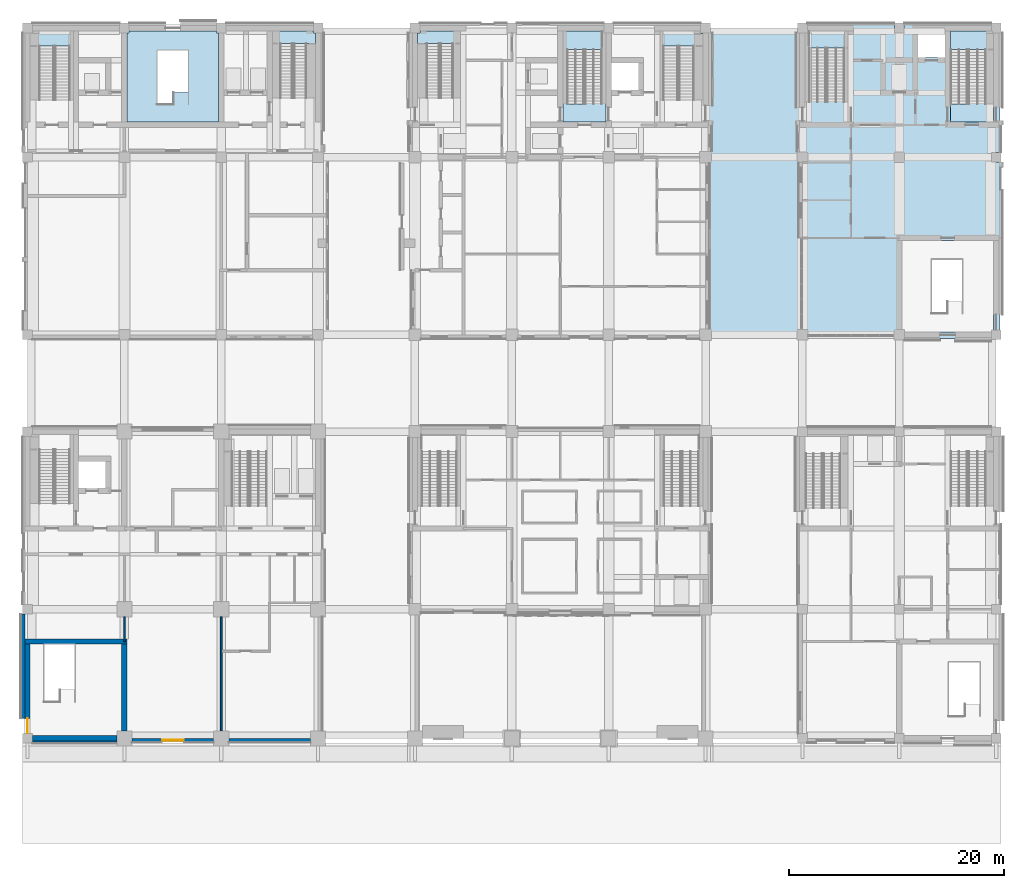
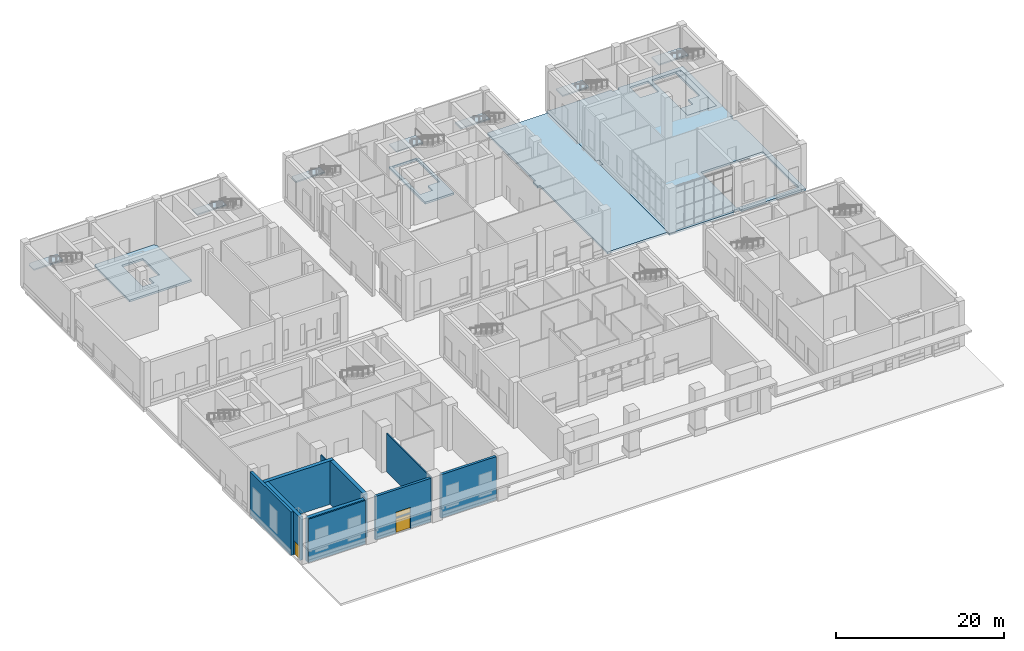
# One storey, part 7 of 35: 12 slabs, 10 walls, 2 doors, 1 window, 3 openings, 7 elements without a shape of their own.
"""IFC4 building model written with IfcOpenShell, lengths in metres."""

from ifc_helpers import new_model, si_unit, direction, frame, frame_2d, origin, place, context, subcontext, project, spatial, polyline, rectangle, outline, extrude, material, layer, layer_set, type_object, element, fill, aggregate, save


model = new_model("IFC4")

# Units and contexts
model_context = context("Model", 3, precision=1e-05, world=origin(), true_north=direction((0.0, 1.0)))
body_context = subcontext(model_context, "Body", "Model", "MODEL_VIEW")
ifc_project = project(units=[si_unit("LENGTHUNIT", "METRE"), si_unit("AREAUNIT", "SQUARE_METRE"), si_unit("VOLUMEUNIT", "CUBIC_METRE"), si_unit("PLANEANGLEUNIT", "RADIAN"), si_unit("MASSUNIT", "GRAM", prefix="KILO")], contexts=[model_context])

# Site, building, storey
site_placement = place(None, origin())
site = spatial("IfcSite", under=ifc_project, at=site_placement, CompositionType="ELEMENT")
building_placement = place(site_placement, origin())
building = spatial("IfcBuilding", under=site, at=building_placement, Name="Aurelan Courthouse", CompositionType="ELEMENT")
storey_placement = place(building_placement, origin())
storey = spatial("IfcBuildingStorey", under=building, at=storey_placement, Name="L00", CompositionType="ELEMENT", Elevation=0.0)

# Slabs
ifc_material_1 = material(Name="Concrete C40", Category="concrete")
ifc_layer_1 = layer(ifc_material_1, 0.300048828125)
ifc_layer_set_1 = layer_set([ifc_layer_1], Name="Concrete C40")
slab_type_1 = type_object("IfcSlabType", Name="PT court deck slab 300", PredefinedType="FLOOR", material=ifc_layer_set_1)
slab_1_placement = place(storey_placement, frame((0.0, 0.0, -0.300048828125)))
element("IfcSlab", 1, at=slab_1_placement, inside=storey, type_object=slab_type_1, Name="Court Deck G2N", PredefinedType="FLOOR", context=body_context, shape_type="SweptSolid", body=[
    extrude(outline(polyline([(72.0, 53.5), (72.0, 54.5), (71.64990234375, 54.5), (71.64990234375, 65.550048828125), (71.64990234375, 66.0), (63.35009765625, 66.0), (63.35009765625, 65.550048828125), (63.35009765625, 54.550048828125), (63.0, 54.550048828125), (63.0, 53.449951171875), (63.35009765625, 53.449951171875), (63.35009765625, 38.050048828125), (63.35009765625, 37.5), (71.64990234375, 37.5), (71.64990234375, 38.0), (71.64990234375, 53.5), (72.0, 53.5)])), origin(), (0.0, 0.0, 1.0), 0.300048828125),
])
ifc_layer_2 = layer(ifc_material_1, 0.300048828125)
ifc_layer_set_2 = layer_set([ifc_layer_2], Name="Concrete C40")
slab_type_2 = type_object("IfcSlabType", Name="PT floor slab 300", PredefinedType="FLOOR", material=ifc_layer_set_2)
slab_2_placement = place(storey_placement, frame((0.0, 0.0, -0.300048828125)))
element("IfcSlab", 2, at=slab_2_placement, inside=storey, type_object=slab_type_2, Name="Floor slab SL-L00-03", PredefinedType="FLOOR", context=body_context, shape_type="SweptSolid", body=[
    extrude(outline(polyline([(71.64990234375, 53.5), (71.64990234375, 38.0), (71.64990234375, 37.14990234375), (72.5, 37.14990234375), (80.5, 37.14990234375), (80.5, 37.5), (81.5, 37.5), (81.5, 37.14990234375), (89.550048828125, 37.14990234375), (90.35009765625, 37.14990234375), (90.35009765625, 37.949951171875), (90.35009765625, 53.550048828125), (90.0, 53.550048828125), (90.0, 54.449951171875), (90.35009765625, 54.449951171875), (90.35009765625, 65.550048828125), (90.35009765625, 66.35009765625), (89.550048828125, 66.35009765625), (81.449951171875, 66.35009765625), (81.449951171875, 66.0), (80.550048828125, 66.0), (80.550048828125, 66.35009765625), (72.449951171875, 66.35009765625), (71.64990234375, 66.35009765625), (71.64990234375, 65.550048828125), (71.64990234375, 54.5), (72.0, 54.5), (72.0, 53.5), (71.64990234375, 53.5)]), holes=[polyline([(81.25, 37.75), (81.25, 46.25), (89.75, 46.25), (89.75, 37.75), (81.25, 37.75)]), polyline([(85.75, 65.75), (89.75, 65.75), (89.75, 57.25), (85.75, 57.25), (85.75, 65.75)]), polyline([(85.25, 65.75), (85.25, 63.25), (82.75, 63.25), (82.75, 65.75), (85.25, 65.75)])]), origin(), (0.0, 0.0, 1.0), 0.300048828125),
])
ifc_material_2 = material(Name="Concrete C30", Category="concrete")
ifc_layer_3 = layer(ifc_material_2, 0.300048828125)
ifc_layer_set_3 = layer_set([ifc_layer_3], Name="Concrete C30")
slab_type_3 = type_object("IfcSlabType", Name="Stair floor landing 300 thick", PredefinedType="LANDING", material=ifc_layer_set_3)
slab_3_placement = place(storey_placement, frame((0.0, 0.0, -0.300048828125)))
element("IfcSlab", 3, at=slab_3_placement, inside=storey, type_object=slab_type_3, Name="Stair BS-3 landing L00", PredefinedType="LANDING", context=body_context, shape_type="SweptSolid", body=[
    extrude(outline(polyline([(17.75, 57.25), (9.25, 57.25), (9.25, 65.550048828125), (9.449951171875, 65.550048828125), (9.449951171875, 65.75), (17.550048828125, 65.75), (17.550048828125, 65.550048828125), (17.75, 65.550048828125), (17.75, 57.25)]), holes=[polyline([(12.050048828125, 58.906005859375), (13.550048828125, 58.906005859375), (13.550048828125, 60.02587890625), (14.949951171875, 60.02587890625), (14.949951171875, 63.945068359375), (12.050048828125, 63.945068359375), (12.050048828125, 58.906005859375)])]), origin(), (0.0, 0.0, 1.0), 0.300048828125),
])

# Stair, slab
stair_type_1 = type_object("IfcStairType", Name="Half-turn stair 1600 wide 38 risers", PredefinedType="HALF_TURN_STAIR", material=ifc_material_2)
stair_1_placement = place(storey_placement, origin())
stair_1 = element("IfcStair", 4, at=stair_1_placement, inside=storey, type_object=stair_type_1, Name="Stair ST-2A-L00", PredefinedType="HALF_TURN_STAIR")
slab_4_placement = place(storey_placement, frame((0.0, 0.0, -0.300048828125)))
slab_4 = element("IfcSlab", 5, at=slab_4_placement, type_object=slab_type_3, Name="Stair ST-2A-L00 floor landing", PredefinedType="LANDING", context=body_context, shape_type="SweptSolid", body=[
    extrude(outline(polyline([(53.75, 57.25), (49.75, 57.25), (49.75, 65.590087890625), (49.75, 65.60009765625), (49.75, 65.75), (53.550048828125, 65.75), (53.550048828125, 65.550048828125), (53.75, 65.550048828125), (53.75, 57.25)]), holes=[polyline([(51.800048828125, 58.9609375), (51.800048828125, 60.0810546875), (53.39990234375, 60.0810546875), (53.39990234375, 65.590087890625), (50.10009765625, 65.590087890625), (50.10009765625, 58.9609375), (51.800048828125, 58.9609375)])]), origin(), (0.0, 0.0, 1.0), 0.300048828125),
])

stair_2_placement = place(storey_placement, origin())
stair_2 = element("IfcStair", 6, at=stair_2_placement, inside=storey, type_object=stair_type_1, Name="Stair ST-3B-L00", PredefinedType="HALF_TURN_STAIR")
slab_5_placement = place(storey_placement, frame((0.0, 0.0, -0.300048828125)))
slab_5 = element("IfcSlab", 7, at=slab_5_placement, type_object=slab_type_3, Name="Stair ST-3B-L00 floor landing", PredefinedType="LANDING", context=body_context, shape_type="SweptSolid", body=[
    extrude(outline(polyline([(89.050048828125, 60.0810546875), (89.050048828125, 65.590087890625), (89.050048828125, 65.60009765625), (89.050048828125, 65.75), (89.550048828125, 65.75), (89.550048828125, 65.550048828125), (89.75, 65.550048828125), (89.75, 57.25), (89.60009765625, 57.25), (89.590087890625, 57.25), (85.75, 57.25), (85.75, 58.9609375), (87.449951171875, 58.9609375), (87.449951171875, 60.0810546875), (89.050048828125, 60.0810546875)])), origin(), (0.0, 0.0, 1.0), 0.300048828125),
])

stair_type_2 = type_object("IfcStairType", Name="Half-turn stair 1200 wide 38 risers", PredefinedType="HALF_TURN_STAIR", material=ifc_material_2)
stair_3_placement = place(storey_placement, origin())
stair_3 = element("IfcStair", 8, at=stair_3_placement, inside=storey, type_object=stair_type_2, Name="Stair CS-2-L00", PredefinedType="HALF_TURN_STAIR")
ifc_layer_4 = layer(ifc_material_2, 0.199951171875)
ifc_layer_set_4 = layer_set([ifc_layer_4], Name="Concrete C30")
slab_type_4 = type_object("IfcSlabType", Name="Stair half landing 200 thick", PredefinedType="LANDING", material=ifc_layer_set_4)
slab_6_placement = place(storey_placement, frame((0.0, 0.0, 3.10009765625)))
slab_6 = element("IfcSlab", 9, at=slab_6_placement, type_object=slab_type_4, Name="Stair CS-2-L00 half landing", PredefinedType="LANDING", context=body_context, shape_type="SweptSolid", body=[
    extrude(outline(polyline([(36.25, 65.550048828125), (36.449951171875, 65.550048828125), (36.449951171875, 65.75), (40.25, 65.75), (40.25, 64.550048828125), (36.25, 64.550048828125), (36.25, 65.550048828125)])), origin(), (0.0, 0.0, 1.0), 0.199951171875),
])
aggregate(stair_3, [slab_6])

stair_4_placement = place(storey_placement, origin())
stair_4 = element("IfcStair", 10, at=stair_4_placement, inside=storey, type_object=stair_type_2, Name="Stair CS-6-L00", PredefinedType="HALF_TURN_STAIR")
slab_7_placement = place(storey_placement, frame((0.0, 0.0, 3.10009765625)))
slab_7 = element("IfcSlab", 11, at=slab_7_placement, type_object=slab_type_4, Name="Stair CS-6-L00 half landing", PredefinedType="LANDING", context=body_context, shape_type="SweptSolid", body=[
    extrude(outline(polyline([(22.75, 65.75), (26.550048828125, 65.75), (26.550048828125, 65.550048828125), (26.75, 65.550048828125), (26.75, 64.550048828125), (22.75, 64.550048828125), (22.75, 65.75)])), origin(), (0.0, 0.0, 1.0), 0.199951171875),
])
aggregate(stair_4, [slab_7])

# Slab
slab_8_placement = place(storey_placement, frame((0.0, 0.0, 3.10009765625)))
slab_8 = element("IfcSlab", 12, at=slab_8_placement, type_object=slab_type_4, Name="Stair ST-2A-L00 half landing", PredefinedType="LANDING", context=body_context, shape_type="SweptSolid", body=[
    extrude(outline(polyline([(49.75, 64.0), (49.75, 65.75), (53.39990234375, 65.75), (53.39990234375, 64.0), (49.75, 64.0)])), origin(), (0.0, 0.0, 1.0), 0.199951171875),
])

aggregate(stair_1, [slab_8, slab_4])

# Stair, slab
stair_type_3 = type_object("IfcStairType", Name="Half-turn stair 1400 wide 38 risers", PredefinedType="HALF_TURN_STAIR", material=ifc_material_2)
stair_5_placement = place(storey_placement, origin())
stair_5 = element("IfcStair", 13, at=stair_5_placement, inside=storey, type_object=stair_type_3, Name="Stair ST-2E-L00", PredefinedType="HALF_TURN_STAIR")
slab_9_placement = place(storey_placement, frame((0.0, 0.0, 3.10009765625)))
slab_9 = element("IfcSlab", 14, at=slab_9_placement, type_object=slab_type_4, Name="Stair ST-2E-L00 half landing", PredefinedType="LANDING", context=body_context, shape_type="SweptSolid", body=[
    extrude(outline(polyline([(58.75, 65.75), (62.550048828125, 65.75), (62.550048828125, 65.550048828125), (62.75, 65.550048828125), (62.75, 64.35009765625), (58.75, 64.35009765625), (58.75, 65.75)])), origin(), (0.0, 0.0, 1.0), 0.199951171875),
])
aggregate(stair_5, [slab_9])

stair_6_placement = place(storey_placement, origin())
stair_6 = element("IfcStair", 15, at=stair_6_placement, inside=storey, type_object=stair_type_1, Name="Stair ST-3A-L00", PredefinedType="HALF_TURN_STAIR")
slab_10_placement = place(storey_placement, frame((0.0, 0.0, 3.10009765625)))
slab_10 = element("IfcSlab", 16, at=slab_10_placement, type_object=slab_type_4, Name="Stair ST-3A-L00 half landing", PredefinedType="LANDING", context=body_context, shape_type="SweptSolid", body=[
    extrude(outline(polyline([(72.60009765625, 65.75), (76.25, 65.75), (76.25, 64.14990234375), (72.60009765625, 64.14990234375), (72.60009765625, 65.75)])), origin(), (0.0, 0.0, 1.0), 0.199951171875),
])
aggregate(stair_6, [slab_10])

# Slab
slab_11_placement = place(storey_placement, frame((0.0, 0.0, 3.10009765625)))
slab_11 = element("IfcSlab", 17, at=slab_11_placement, type_object=slab_type_4, Name="Stair ST-3B-L00 half landing", PredefinedType="LANDING", context=body_context, shape_type="SweptSolid", body=[
    extrude(outline(polyline([(85.75, 64.0), (85.75, 65.75), (89.550048828125, 65.75), (89.550048828125, 65.550048828125), (89.75, 65.550048828125), (89.75, 64.0), (85.75, 64.0)])), origin(), (0.0, 0.0, 1.0), 0.199951171875),
])

aggregate(stair_2, [slab_11, slab_5])

# Stair, slab
stair_7_placement = place(storey_placement, origin())
stair_7 = element("IfcStair", 18, at=stair_7_placement, inside=storey, type_object=stair_type_3, Name="Stair ST-6-L00", PredefinedType="HALF_TURN_STAIR")
slab_12_placement = place(storey_placement, frame((0.0, 0.0, 3.10009765625)))
slab_12 = element("IfcSlab", 19, at=slab_12_placement, type_object=slab_type_4, Name="Stair ST-6-L00 half landing", PredefinedType="LANDING", context=body_context, shape_type="SweptSolid", body=[
    extrude(outline(polyline([(0.25, 65.550048828125), (0.449951171875, 65.550048828125), (0.449951171875, 65.75), (4.25, 65.75), (4.25, 64.35009765625), (0.25, 64.35009765625), (0.25, 65.550048828125)])), origin(), (0.0, 0.0, 1.0), 0.199951171875),
])
aggregate(stair_7, [slab_12])

# Wall
ifc_material_3 = material(Name="Granite cladding", Category="masonry")
ifc_layer_5 = layer(ifc_material_3, 0.054931640625, Name="Facing")
ifc_material_4 = material(Name="Ventilated cavity")
ifc_layer_6 = layer(ifc_material_4, 0.02490234375, ventilated=True, Name="Ventilated cavity")
ifc_material_5 = material(Name="Mineral wool insulation")
ifc_layer_7 = layer(ifc_material_5, 0.030029296875, Name="Insulation")
ifc_layer_8 = layer(ifc_material_2, 0.090087890625, Name="Structure")
ifc_layer_set_5 = layer_set([ifc_layer_5, ifc_layer_6, ifc_layer_7, ifc_layer_8], Name="Concrete C30")
wall_type_1 = type_object("IfcWallType", Name="Courts' Floors granite-faced wall 200", PredefinedType="SOLIDWALL", material=ifc_layer_set_5)
wall_1_placement = place(storey_placement, frame((0.449951171875, -0.35009765625, 0.0), z_axis=(0.0, 0.0, 1.0), x_axis=(1.0, 0.0, 0.0)))
element("IfcWall", 20, at=wall_1_placement, inside=storey, type_object=wall_type_1, Name="Facade wall FW-V5-L00-001", PredefinedType="SOLIDWALL", context=body_context, shape_type="SweptSolid", body=[
    extrude(rectangle(XDim=7.85009765625, YDim=0.199951171875, at=frame_2d((3.925048828125, 0.0))), origin(), (0.0, 0.0, 1.0), 6.300048828125),
])

# Wall, openings, door, window
ifc_layer_9 = layer(ifc_material_3, 0.10009765625, Name="Facing")
ifc_layer_10 = layer(ifc_material_4, 0.02490234375, ventilated=True, Name="Ventilated cavity")
ifc_layer_11 = layer(ifc_material_5, 0.050048828125, Name="Insulation")
ifc_layer_12 = layer(ifc_material_2, 0.175048828125, Name="Structure")
ifc_layer_set_6 = layer_set([ifc_layer_9, ifc_layer_10, ifc_layer_11, ifc_layer_12], Name="Concrete C30")
wall_type_2 = type_object("IfcWallType", Name="Courts' Floors granite-faced wall 350", PredefinedType="SOLIDWALL", material=ifc_layer_set_6)
wall_2_placement = place(storey_placement, frame((9.699951171875, -0.175048828125, 0.0), z_axis=(0.0, 0.0, 1.0), x_axis=(1.0, 0.0, 0.0)))
wall_2 = element("IfcWall", 21, at=wall_2_placement, inside=storey, type_object=wall_type_2, Name="Facade wall FW-V5-L00-002", PredefinedType="SOLIDWALL", context=body_context, shape_type="SweptSolid", body=[
    extrude(rectangle(XDim=7.60009765625, YDim=0.35009765625, at=frame_2d((3.800048828125, 0.0))), origin(), (0.0, 0.0, 1.0), 6.300048828125),
])
opening_1_placement = place(wall_2_placement, frame((4.800048828125, 0.0, 0.0), z_axis=(0.0, 0.0, 1.0), x_axis=(-1.0, 0.0, 0.0)))
opening_1 = element("IfcOpeningElement", 22, at=opening_1_placement, cuts=wall_2, Name="Opening D-L00-103", PredefinedType="OPENING", context=body_context, shape_type="SweptSolid", body=[
    extrude(rectangle(XDim=2.0, YDim=2.10009765625, at=frame_2d((1.0, 1.050048828125))), frame((0.0, 0.18505859375, 0.0), z_axis=(0.0, -1.0, 0.0), x_axis=(1.0, 0.0, 0.0)), (0.0, 0.0, 1.0), 0.3701171875),
])
opening_2_placement = place(wall_2_placement, frame((2.800048828125, 0.0, 2.25)))
opening_2 = element("IfcOpeningElement", 23, at=opening_2_placement, cuts=wall_2, Name="Opening WN-V5-L00-001", PredefinedType="OPENING", context=body_context, shape_type="SweptSolid", body=[
    extrude(rectangle(XDim=2.0, YDim=0.800048828125, at=frame_2d((1.0, 0.39990234375))), frame((0.0, 0.18505859375, 0.0), z_axis=(0.0, -1.0, 0.0), x_axis=(1.0, 0.0, 0.0)), (0.0, 0.0, 1.0), 0.3701171875),
])
ifc_material_6 = material(Name="Bronze-clad timber", Category="wood")
door_type_1 = type_object("IfcDoorType", Name="Bronze double door 2000 x 2100", OperationType="SINGLE_SWING_LEFT", PredefinedType="DOOR", material=ifc_material_6)
door_1_placement = place(opening_1_placement, origin())
door_1 = element("IfcDoor", 24, at=door_1_placement, inside=storey, type_object=door_type_1, Name="Entrance door D-L00-103", OperationType="DOUBLE_DOOR_SINGLE_SWING", OverallHeight=2.10009765625, OverallWidth=2.0, PredefinedType="DOOR", context=body_context, shape_type="SweptSolid", body=[
    extrude(rectangle(XDim=2.0, YDim=2.10009765625, at=frame_2d((1.0, 1.050048828125))), frame((0.0, 0.02490234375, 0.0), z_axis=(0.0, -1.0, 0.0), x_axis=(1.0, 0.0, 0.0)), (0.0, 0.0, 1.0), 0.050048828125),
])
fill(opening_1, door_1)
ifc_material_7 = material(Name="Bronze-finished aluminium and glass", Category="aluminium")
window_type = type_object("IfcWindowType", Name="Courts' Floors transom light 2000 x 800, sill 2250", PartitioningType="SINGLE_PANEL", PredefinedType="WINDOW", material=ifc_material_7)
window_placement = place(opening_2_placement, origin())
window = element("IfcWindow", 25, at=window_placement, inside=storey, type_object=window_type, Name="Transom light WN-V5-L00-001", OverallHeight=0.800048828125, OverallWidth=2.0, PartitioningType="SINGLE_PANEL", PredefinedType="WINDOW", context=body_context, shape_type="SweptSolid", body=[
    extrude(rectangle(XDim=2.0, YDim=0.800048828125, at=frame_2d((1.0, 0.39990234375))), frame((0.0, 0.030029296875, 0.0), z_axis=(0.0, -1.0, 0.0), x_axis=(1.0, 0.0, 0.0)), (0.0, 0.0, 1.0), 0.06005859375),
])
fill(opening_2, window)

# Walls
wall_3_placement = place(storey_placement, frame((18.699951171875, -0.175048828125, 0.0), z_axis=(0.0, 0.0, 1.0), x_axis=(1.0, 0.0, 0.0)))
element("IfcWall", 26, at=wall_3_placement, inside=storey, type_object=wall_type_2, Name="Facade wall FW-V5-L00-003", PredefinedType="SOLIDWALL", context=body_context, shape_type="SweptSolid", body=[
    extrude(rectangle(XDim=7.60009765625, YDim=0.35009765625, at=frame_2d((3.800048828125, 0.0))), origin(), (0.0, 0.0, 1.0), 6.300048828125),
])
wall_4_placement = place(storey_placement, frame((-0.425048828125, 1.8701171875, 0.0), z_axis=(0.0, 0.0, 1.0), x_axis=(0.0, 1.0, 0.0)))
element("IfcWall", 27, at=wall_4_placement, inside=storey, type_object=wall_type_2, Name="Facade wall FW-V5-L00-009", PredefinedType="SOLIDWALL", context=body_context, shape_type="SweptSolid", body=[
    extrude(rectangle(XDim=9.679931640625, YDim=0.35009765625, at=frame_2d((4.83984375, 0.0))), origin(), (0.0, 0.0, 1.0), 6.300048828125),
])
ifc_material_8 = material(Name="Gypsum board on metal studs")
ifc_layer_13 = layer(ifc_material_8, 0.14990234375)
ifc_layer_set_7 = layer_set([ifc_layer_13], Name="Gypsum board on metal studs")
wall_type_3 = type_object("IfcWallType", Name="Partition 150 NOT RATED", PredefinedType="PARTITIONING", material=ifc_layer_set_7)
wall_5_placement = place(storey_placement, frame((9.0, 9.0, 0.0), z_axis=(0.0, 0.0, 1.0), x_axis=(0.0, 1.0, 0.0)))
element("IfcWall", 28, at=wall_5_placement, inside=storey, type_object=wall_type_3, Name="Partition L00-057", PredefinedType="PARTITIONING", context=body_context, shape_type="SweptSolid", body=[
    extrude(rectangle(XDim=2.300048828125, YDim=0.14990234375, at=frame_2d((1.14990234375, 0.0))), origin(), (0.0, 0.0, 1.0), 5.550048828125),
])
wall_6_placement = place(storey_placement, frame((18.0, 0.699951171875, 0.0), z_axis=(0.0, 0.0, 1.0), x_axis=(0.0, 1.0, 0.0)))
element("IfcWall", 29, at=wall_6_placement, inside=storey, type_object=wall_type_3, Name="Partition L00-064", PredefinedType="PARTITIONING", context=body_context, shape_type="SweptSolid", body=[
    extrude(rectangle(XDim=10.60009765625, YDim=0.14990234375, at=frame_2d((5.300048828125, 0.0))), origin(), (0.0, 0.0, 1.0), 5.550048828125),
])
ifc_material_9 = material(Name="Concrete C50", Category="concrete")
ifc_layer_14 = layer(ifc_material_9, 0.5)
ifc_layer_set_8 = layer_set([ifc_layer_14], Name="Concrete C50")
wall_type_4 = type_object("IfcWallType", Name="RC shear wall 500", PredefinedType="SHEAR", material=ifc_layer_set_8)
wall_7_placement = place(storey_placement, frame((0.449951171875, 0.0, 0.0), z_axis=(0.0, 0.0, 1.0), x_axis=(1.0, 0.0, 0.0)))
element("IfcWall", 30, at=wall_7_placement, inside=storey, type_object=wall_type_4, Name="Core wall SW-L00-001", PredefinedType="SHEAR", context=body_context, shape_type="SweptSolid", body=[
    extrude(rectangle(XDim=7.85009765625, YDim=0.5, at=frame_2d((3.925048828125, 0.0))), origin(), (0.0, 0.0, 1.0), 6.300048828125),
])

# Wall, opening, door
wall_8_placement = place(storey_placement, frame((0.0, 0.449951171875, 0.0), z_axis=(0.0, 0.0, 1.0), x_axis=(0.0, 1.0, 0.0)))
wall_8 = element("IfcWall", 31, at=wall_8_placement, inside=storey, type_object=wall_type_4, Name="Core wall SW-L00-003", PredefinedType="SHEAR", context=body_context, shape_type="SweptSolid", body=[
    extrude(rectangle(XDim=8.300048828125, YDim=0.5, at=frame_2d((4.14990234375, 0.0))), origin(), (0.0, 0.0, 1.0), 6.300048828125),
])
opening_3_placement = place(wall_8_placement, frame((0.02001953125, 0.0, 0.0)))
opening_3 = element("IfcOpeningElement", 32, at=opening_3_placement, cuts=wall_8, Name="Opening D-L00-100", PredefinedType="OPENING", context=body_context, shape_type="SweptSolid", body=[
    extrude(rectangle(XDim=1.39990234375, YDim=2.10009765625, at=frame_2d((0.699951171875, 1.050048828125))), frame((0.0, 0.260009765625, 0.0), z_axis=(0.0, -1.0, 0.0), x_axis=(1.0, 0.0, 0.0)), (0.0, 0.0, 1.0), 0.52001953125),
])
door_type_2 = type_object("IfcDoorType", Name="Bronze single door 1400 x 2100", OperationType="SINGLE_SWING_LEFT", PredefinedType="DOOR", material=ifc_material_6)
door_2_placement = place(opening_3_placement, origin())
door_2 = element("IfcDoor", 33, at=door_2_placement, inside=storey, type_object=door_type_2, Name="Exit door D-L00-100", OperationType="SINGLE_SWING_RIGHT", OverallHeight=2.10009765625, OverallWidth=1.39990234375, PredefinedType="DOOR", context=body_context, shape_type="SweptSolid", body=[
    extrude(rectangle(XDim=1.39990234375, YDim=2.10009765625, at=frame_2d((0.699951171875, 1.050048828125))), frame((0.0, 0.02490234375, 0.0), z_axis=(0.0, -1.0, 0.0), x_axis=(1.0, 0.0, 0.0)), (0.0, 0.0, 1.0), 0.050048828125),
])
fill(opening_3, door_2)

# Walls
wall_9_placement = place(storey_placement, frame((9.0, 0.699951171875, 0.0), z_axis=(0.0, 0.0, 1.0), x_axis=(0.0, 1.0, 0.0)))
element("IfcWall", 34, at=wall_9_placement, inside=storey, type_object=wall_type_4, Name="Core wall SW-L00-006", PredefinedType="SHEAR", context=body_context, shape_type="SweptSolid", body=[
    extrude(rectangle(XDim=8.050048828125, YDim=0.5, at=frame_2d((4.02490234375, 0.0))), origin(), (0.0, 0.0, 1.0), 6.300048828125),
])
wall_10_placement = place(storey_placement, frame((-0.25, 9.0, 0.0), z_axis=(0.0, 0.0, 1.0), x_axis=(1.0, 0.0, 0.0)))
element("IfcWall", 35, at=wall_10_placement, inside=storey, type_object=wall_type_4, Name="Core wall SW-L00-007", PredefinedType="SHEAR", context=body_context, shape_type="SweptSolid", body=[
    extrude(rectangle(XDim=9.5, YDim=0.5, at=frame_2d((4.75, 0.0))), origin(), (0.0, 0.0, 1.0), 6.300048828125),
])

save(model, "model.ifc")
